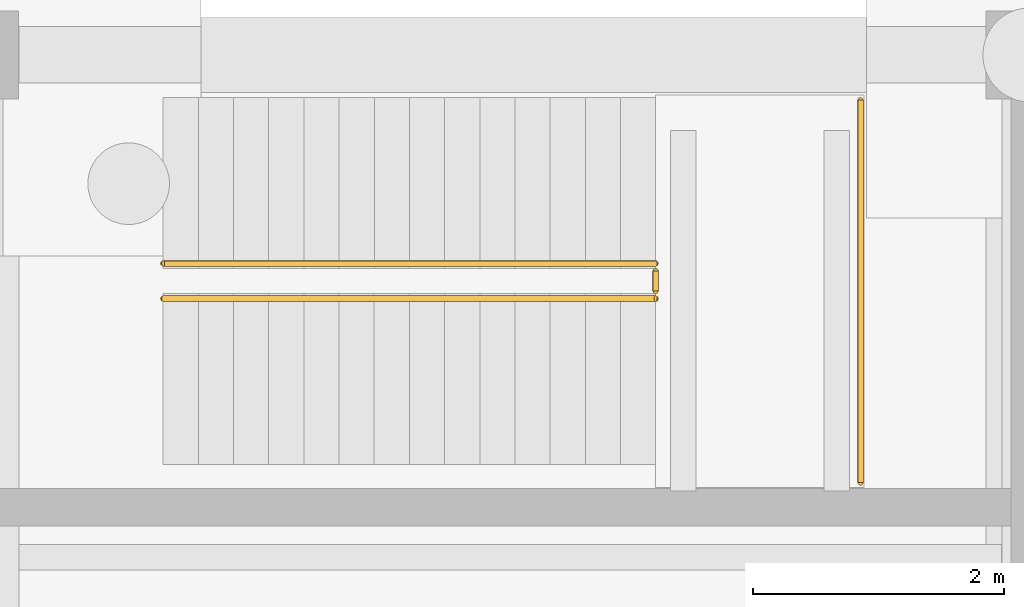
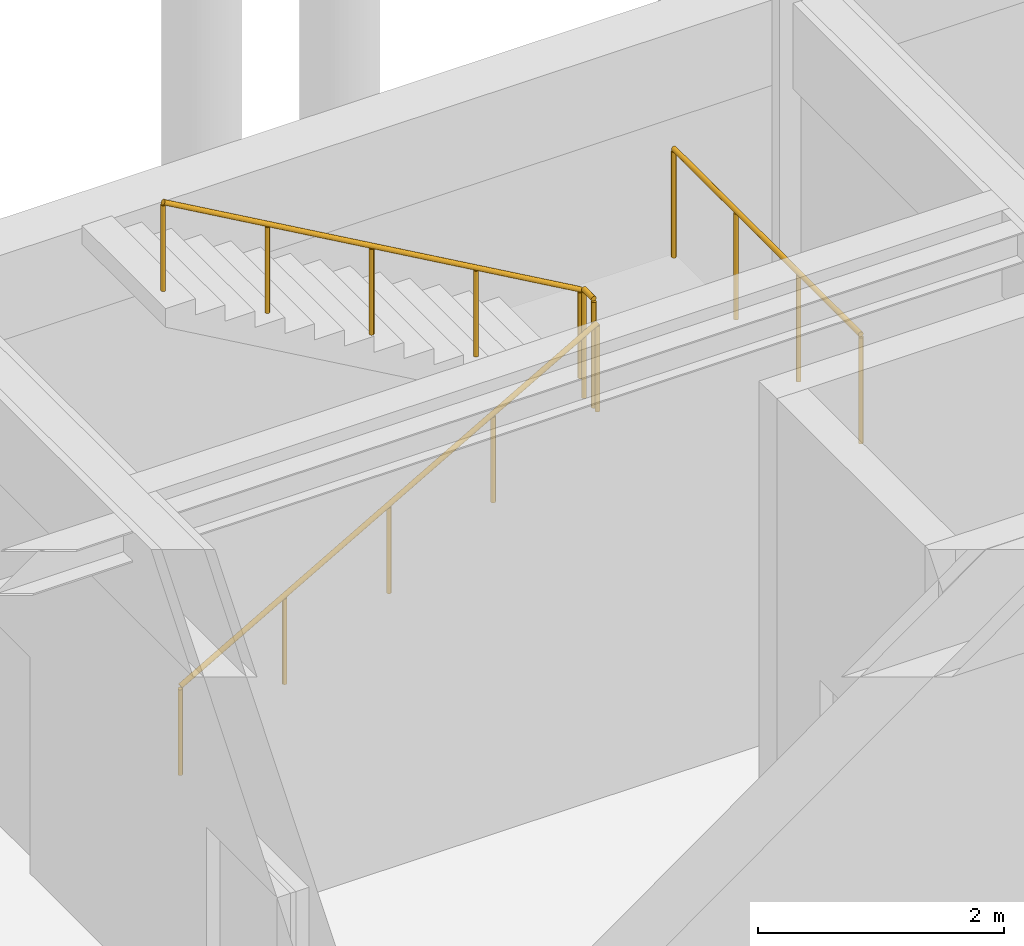
# One storey, part 32 of 35: 4 railings.
"""IFC4 building model written with IfcOpenShell, lengths in metres."""

from ifc_helpers import new_model, si_unit, direction, frame, origin, origin_2d, place, context, subcontext, project, spatial, circle, extrude, material, type_object, element, save


model = new_model("IFC4")

# Units and contexts
model_context = context("Model", 3, precision=1e-05, world=origin(), true_north=direction((0.0, 1.0)))
body_context = subcontext(model_context, "Body", "Model", "MODEL_VIEW")
ifc_project = project(units=[si_unit("LENGTHUNIT", "METRE"), si_unit("AREAUNIT", "SQUARE_METRE"), si_unit("VOLUMEUNIT", "CUBIC_METRE"), si_unit("PLANEANGLEUNIT", "RADIAN"), si_unit("MASSUNIT", "GRAM", prefix="KILO")], contexts=[model_context])

# Site, building, storey
site_placement = place(None, origin())
site = spatial("IfcSite", under=ifc_project, at=site_placement, CompositionType="ELEMENT")
building_placement = place(site_placement, origin())
building = spatial("IfcBuilding", under=site, at=building_placement, Name="Cinchona Park Media Centre", CompositionType="ELEMENT")
storey_placement = place(building_placement, frame((0.0, 0.0, -4.800048828125)))
storey = spatial("IfcBuildingStorey", under=building, at=storey_placement, Name="B1", CompositionType="ELEMENT", Elevation=-4.800048828125)

# Railings
ifc_material_1 = material(Name="Painted Steel Stairwell Guardrail", Category="steel")
railing_type_1 = type_object("IfcRailingType", Name="RAILING-GR02", PredefinedType="GUARDRAIL", material=ifc_material_1)
railing_1_placement = place(storey_placement, frame((91.820068359375, 85.719970703125, 2.400146484375)))
element("IfcRailing", 1, at=railing_1_placement, inside=storey, type_object=railing_type_1, Name="Half-Landing Guardrail GR02 ST5 B1", PredefinedType="GUARDRAIL", context=body_context, shape_type="SweptSolid", body=[
    extrude(circle(Radius=0.02392578125, at=origin_2d()), frame((0.0, 0.0, 1.076171875), z_axis=(0.0, 1.0, 0.0), x_axis=(-1.0, 0.0, 0.0)), (0.0, 0.0, 1.0), 0.159912109375),
    extrude(circle(Radius=0.02099609375, at=origin_2d()), origin(), (0.0, 0.0, 1.0), 1.052001953125),
    extrude(circle(Radius=0.02099609375, at=origin_2d()), frame((0.0, 0.159912109375, 0.0)), (0.0, 0.0, 1.0), 1.052001953125),
])
railing_2_placement = place(storey_placement, frame((93.449951171875, 84.195068359375, 2.400146484375)))
element("IfcRailing", 2, at=railing_2_placement, inside=storey, type_object=railing_type_1, Name="Half-Landing Back Guardrail GR02 ST5 B1", PredefinedType="GUARDRAIL", context=body_context, shape_type="SweptSolid", body=[
    extrude(circle(Radius=0.02392578125, at=origin_2d()), frame((0.0, 0.0, 1.076171875), z_axis=(0.0, 1.0, 0.0), x_axis=(-1.0, 0.0, 0.0)), (0.0, 0.0, 1.0), 3.044921875),
    extrude(circle(Radius=0.02099609375, at=origin_2d()), origin(), (0.0, 0.0, 1.0), 1.052001953125),
    extrude(circle(Radius=0.02099609375, at=origin_2d()), frame((0.0, 1.014892578125, 0.0)), (0.0, 0.0, 1.0), 1.052001953125),
    extrude(circle(Radius=0.02099609375, at=origin_2d()), frame((0.0, 2.030029296875, 0.0)), (0.0, 0.0, 1.0), 1.052001953125),
    extrude(circle(Radius=0.02099609375, at=origin_2d()), frame((0.0, 3.044921875, 0.0)), (0.0, 0.0, 1.0), 1.052001953125),
])
ifc_material_2 = material(Name="Brushed Stainless Steel Handrail", Category="steel")
railing_type_2 = type_object("IfcRailingType", Name="RAILING-HR01", PredefinedType="HANDRAIL", material=ifc_material_2)
railing_3_placement = place(storey_placement, frame((87.89990234375, 85.659912109375, 0.16015625)))
element("IfcRailing", 3, at=railing_3_placement, inside=storey, type_object=railing_type_2, Name="Stair Handrail HR01 ST5 B1 F1", PredefinedType="HANDRAIL", context=body_context, shape_type="SweptSolid", body=[
    extrude(circle(Radius=0.02392578125, at=origin_2d()), frame((0.0, 0.0, 0.8759765625), z_axis=(0.86825312469, 0.0, 0.496121468458), x_axis=(0.0, 1.0, 0.0)), (0.0, 0.0, 1.0), 4.514892578125),
    extrude(circle(Radius=0.02099609375, at=origin_2d()), origin(), (0.0, 0.0, 1.0), 0.851806640625),
    extrude(circle(Radius=0.02099609375, at=origin_2d()), frame((0.97998046875, 0.0, 0.56005859375)), (0.0, 0.0, 1.0), 0.851806640625),
    extrude(circle(Radius=0.02099609375, at=origin_2d()), frame((1.9599609375, 0.0, 1.1201171875)), (0.0, 0.0, 1.0), 0.851806640625),
    extrude(circle(Radius=0.02099609375, at=origin_2d()), frame((2.940185546875, 0.0, 1.679931640625)), (0.0, 0.0, 1.0), 0.851806640625),
    extrude(circle(Radius=0.02099609375, at=origin_2d()), frame((3.920166015625, 0.0, 2.239990234375)), (0.0, 0.0, 1.0), 0.851806640625),
])
railing_4_placement = place(storey_placement, frame((91.820068359375, 85.93994140625, 2.56005859375)))
element("IfcRailing", 4, at=railing_4_placement, inside=storey, type_object=railing_type_2, Name="Stair Handrail HR01 ST5 B1 F2", PredefinedType="HANDRAIL", context=body_context, shape_type="SweptSolid", body=[
    extrude(circle(Radius=0.02392578125, at=origin_2d()), frame((0.0, 0.0, 0.8759765625), z_axis=(-0.86825312469, 0.0, 0.496121468458), x_axis=(0.0, -1.0, 0.0)), (0.0, 0.0, 1.0), 4.514892578125),
    extrude(circle(Radius=0.02099609375, at=origin_2d()), origin(), (0.0, 0.0, 1.0), 0.851806640625),
    extrude(circle(Radius=0.02099609375, at=origin_2d()), frame((-0.97998046875, 0.0, 0.56005859375)), (0.0, 0.0, 1.0), 0.851806640625),
    extrude(circle(Radius=0.02099609375, at=origin_2d()), frame((-1.9599609375, 0.0, 1.1201171875)), (0.0, 0.0, 1.0), 0.851806640625),
    extrude(circle(Radius=0.02099609375, at=origin_2d()), frame((-2.940185546875, 0.0, 1.679931640625)), (0.0, 0.0, 1.0), 0.851806640625),
    extrude(circle(Radius=0.02099609375, at=origin_2d()), frame((-3.920166015625, 0.0, 2.239990234375)), (0.0, 0.0, 1.0), 0.851806640625),
])

save(model, "model.ifc")
